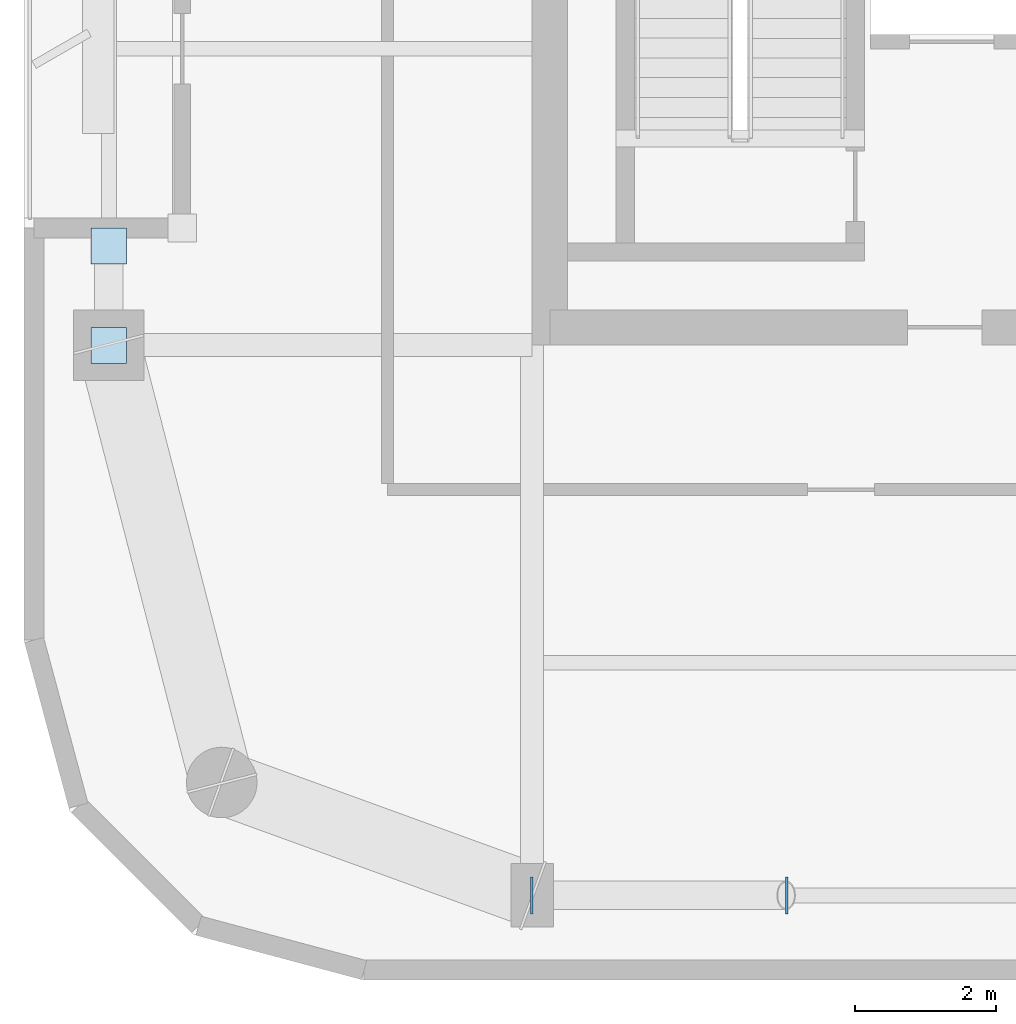
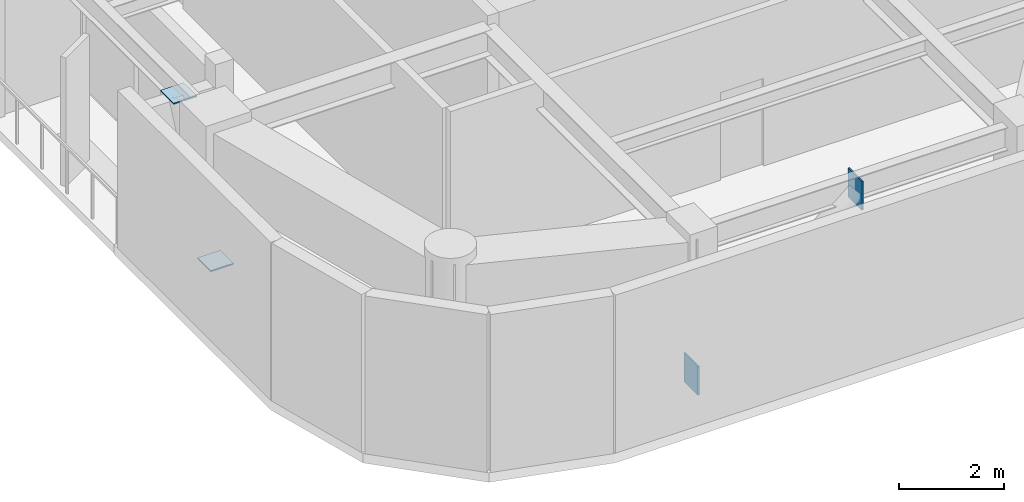
# One storey, part 8 of 15: 4 plates.
"""IFC4 building model written with IfcOpenShell, lengths in metres."""

from ifc_helpers import new_model, si_unit, direction, frame, origin, origin_2d, place, context, subcontext, project, spatial, rectangle, extrude, material, layer, layer_set, type_object, element, save


model = new_model("IFC4")

# Units and contexts
model_context = context("Model", 3, precision=1e-05, world=origin(), true_north=direction((0.0, 1.0)))
body_context = subcontext(model_context, "Body", "Model", "MODEL_VIEW")
ifc_project = project(units=[si_unit("LENGTHUNIT", "METRE"), si_unit("AREAUNIT", "SQUARE_METRE"), si_unit("VOLUMEUNIT", "CUBIC_METRE"), si_unit("PLANEANGLEUNIT", "RADIAN"), si_unit("MASSUNIT", "GRAM", prefix="KILO")], contexts=[model_context])

# Site, building, storey
site_placement = place(None, origin())
site = spatial("IfcSite", under=ifc_project, at=site_placement, CompositionType="ELEMENT")
building_placement = place(site_placement, origin())
building = spatial("IfcBuilding", under=site, at=building_placement, Name="Kiyonajd Concourse Tower", CompositionType="ELEMENT")
storey_placement = place(building_placement, frame((0.0, 0.0, 270.60009765625)))
storey = spatial("IfcBuildingStorey", under=building, at=storey_placement, Name="L68", CompositionType="ELEMENT", Elevation=270.60009765625)

# Plates
ifc_material = material(Name="Steel ASTM A572 Grade 50", Category="steel")
ifc_layer = layer(ifc_material, 0.028076171875)
ifc_layer_set = layer_set([ifc_layer], Name="Steel ASTM A572 Grade 50")
plate_type = type_object("IfcPlateType", Name="PL-CAP-450", PredefinedType="USERDEFINED", material=ifc_layer_set)
for number, where, z_axis, x_axis, name in (
    (1, (32.3916015625, 19.800048828125, -0.042724609375), (0.0, 0.0, 1.0), (-1.0, 0.0, 0.0), "L68 Hollow Brace End Cap Plate PBS"),
    (2, (36.00830078125, 19.800048828125, 3.00146484375), (0.0, 0.0, 1.0), (1.0, 0.0, 0.0), "L68 Hollow Brace Top Cap Plate PBS"),
):
    element("IfcPlate", number, at=place(storey_placement, frame(where, z_axis=z_axis, x_axis=x_axis)), inside=storey, type_object=plate_type, Name=name, ObjectType="CAP PLATE", PredefinedType="USERDEFINED", context=body_context, shape_type="SweptSolid", body=[
        extrude(rectangle(XDim=0.035888671875, YDim=0.52587890625, at=origin_2d()), origin(), (0.0, 0.0, 1.0), 0.6708984375),
    ])
for number, where, z_axis, x_axis, name in (
    (3, (26.39990234375, 27.595458984375, 0.27587890625), (0.0, 0.0, 1.0), (1.0, 0.0, 0.0), "L68 Hollow Brace End Cap Plate PBW"),
    (4, (26.39990234375, 29.004638671875, 3.32568359375), (0.0, 0.0, 1.0), (1.0, 0.0, 0.0), "L68 Hollow Brace Top Cap Plate PBW"),
):
    element("IfcPlate", number, at=place(storey_placement, frame(where, z_axis=z_axis, x_axis=x_axis)), inside=storey, type_object=plate_type, Name=name, ObjectType="CAP PLATE", PredefinedType="USERDEFINED", context=body_context, shape_type="SweptSolid", body=[
        extrude(rectangle(XDim=0.506103515625, YDim=0.506103515625, at=origin_2d()), origin(), (0.0, 0.0, 1.0), 0.028076171875),
    ])

save(model, "model.ifc")
